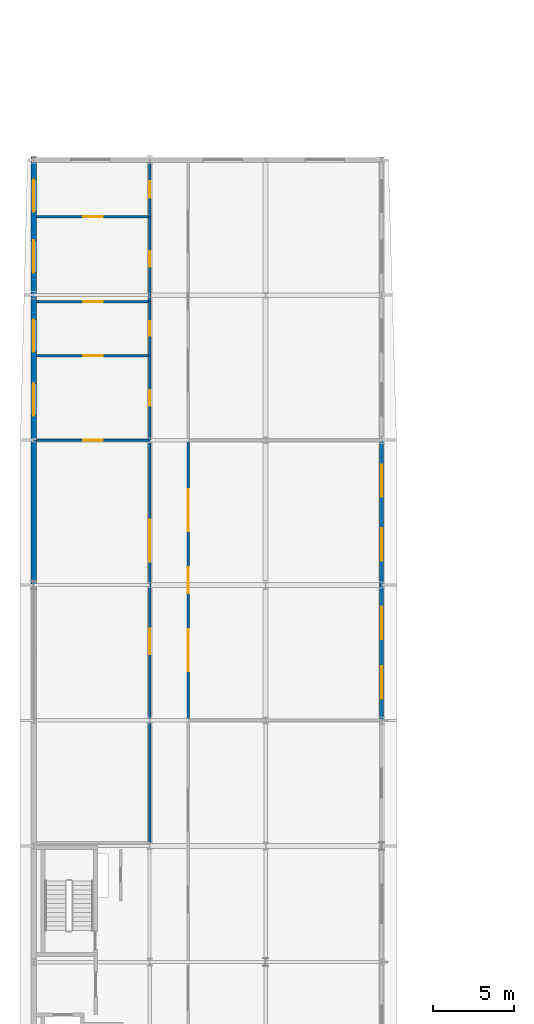
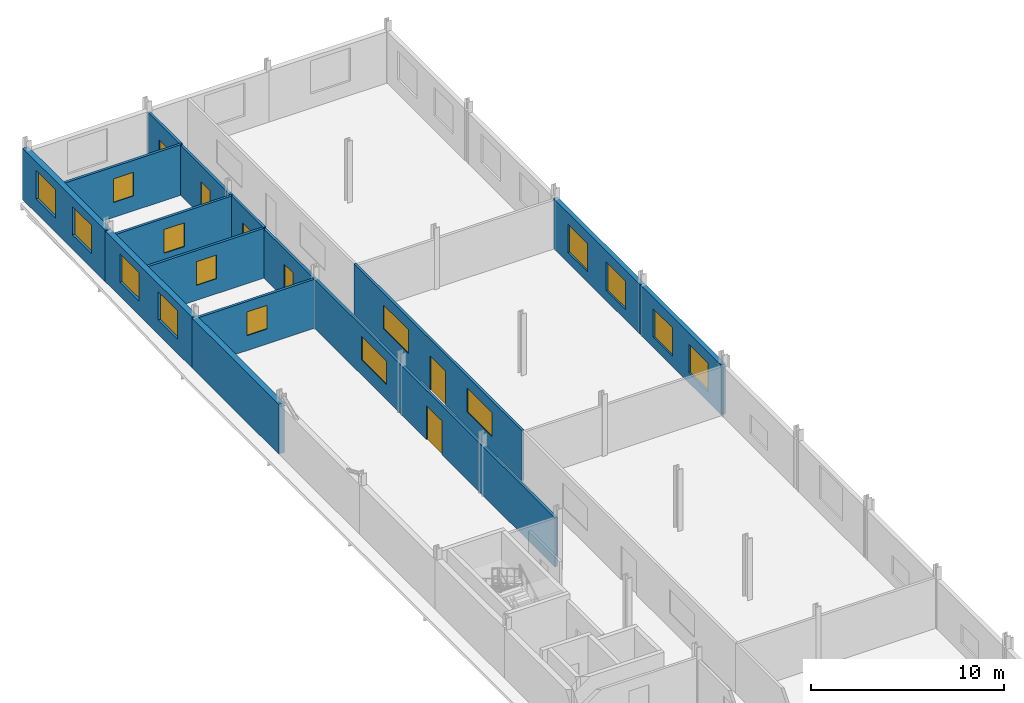
# One storey, part 42 of 49: 15 walls, 15 windows, 6 doors, 21 openings.
"""IFC4 building model written with IfcOpenShell, lengths in metres."""

from ifc_helpers import new_model, si_unit, direction, frame, frame_2d, origin, place, context, subcontext, project, spatial, rectangle, extrude, material, layer, layer_set, type_object, element, fill, save


model = new_model("IFC4")

# Units and contexts
model_context = context("Model", 3, precision=1e-05, world=origin(), true_north=direction((0.0, 1.0)))
body_context = subcontext(model_context, "Body", "Model", "MODEL_VIEW")
ifc_project = project(units=[si_unit("LENGTHUNIT", "METRE"), si_unit("AREAUNIT", "SQUARE_METRE"), si_unit("VOLUMEUNIT", "CUBIC_METRE"), si_unit("PLANEANGLEUNIT", "RADIAN"), si_unit("MASSUNIT", "GRAM", prefix="KILO")], contexts=[model_context])

# Site, building, storey
site_placement = place(None, origin())
site = spatial("IfcSite", under=ifc_project, at=site_placement, CompositionType="ELEMENT")
building_placement = place(site_placement, origin())
building = spatial("IfcBuilding", under=site, at=building_placement, Name="Vinh Khe Railworks Police Headquarters", CompositionType="ELEMENT")
storey_placement = place(building_placement, frame((0.0, 0.0, 17.10009765625)))
storey = spatial("IfcBuildingStorey", under=building, at=storey_placement, Name="L04", CompositionType="ELEMENT", Elevation=17.10009765625)

# Wall, openings, windows
ifc_material_1 = material(Name="Clay brickwork", Category="masonry")
ifc_layer_1 = layer(ifc_material_1, 0.260009765625)
ifc_layer_set_1 = layer_set([ifc_layer_1], Name="Clay brickwork")
wall_type_1 = type_object("IfcWallType", Name="EW-BRK-260", PredefinedType="SOLIDWALL", material=ifc_layer_set_1)
wall_1_placement = place(storey_placement, frame((22.199951171875, 96.0, 0.0), z_axis=(0.0, 0.0, 1.0), x_axis=(0.0, 1.0, 0.0)))
wall_1 = element("IfcWall", 1, at=wall_1_placement, inside=storey, type_object=wall_type_1, Name="Exterior Brick Wall EW-L04-V5E-13", PredefinedType="SOLIDWALL", context=body_context, shape_type="SweptSolid", body=[
    extrude(rectangle(XDim=8.39990234375, YDim=0.260009765625, at=frame_2d((4.199951171875, 0.0))), origin(), (0.0, 0.0, 1.0), 3.15478515625),
])
opening_1_placement = place(wall_1_placement, frame((1.35205078125, 0.0, 0.64990234375)))
opening_1 = element("IfcOpeningElement", 2, at=opening_1_placement, cuts=wall_1, Name="Opening WN-04", PredefinedType="OPENING", context=body_context, shape_type="SweptSolid", body=[
    extrude(rectangle(XDim=2.0, YDim=1.800048828125, at=frame_2d((1.0, 0.89990234375))), frame((0.0, 0.14501953125, 0.0), z_axis=(0.0, -1.0, 0.0), x_axis=(1.0, 0.0, 0.0)), (0.0, 0.0, 1.0), 0.289794921875),
])
opening_2_placement = place(wall_1_placement, frame((5.048095703125, 0.0, 0.64990234375)))
opening_2 = element("IfcOpeningElement", 3, at=opening_2_placement, cuts=wall_1, Name="Opening WN-04", PredefinedType="OPENING", context=body_context, shape_type="SweptSolid", body=[
    extrude(rectangle(XDim=2.0, YDim=1.800048828125, at=frame_2d((1.0, 0.89990234375))), frame((0.0, 0.14501953125, 0.0), z_axis=(0.0, -1.0, 0.0), x_axis=(1.0, 0.0, 0.0)), (0.0, 0.0, 1.0), 0.289794921875),
])
ifc_material_2 = material(Name="Double-glazed solar-control glass in dark steel frame", Category="steel")
window_type_1 = type_object("IfcWindowType", Name="WIN-WN-04", PartitioningType="DOUBLE_PANEL_VERTICAL", PredefinedType="WINDOW", material=ifc_material_2)
window_1_placement = place(opening_1_placement, origin())
window_1 = element("IfcWindow", 4, at=window_1_placement, inside=storey, type_object=window_type_1, Name="Casement Window WN-04", OverallHeight=1.800048828125, OverallWidth=2.0, PartitioningType="SINGLE_PANEL", PredefinedType="WINDOW", context=body_context, shape_type="SweptSolid", body=[
    extrude(rectangle(XDim=2.0, YDim=1.800048828125, at=frame_2d((1.0, 0.89990234375))), frame((0.0, 0.030029296875, 0.0), z_axis=(0.0, -1.0, 0.0), x_axis=(1.0, 0.0, 0.0)), (0.0, 0.0, 1.0), 0.06005859375),
])
fill(opening_1, window_1)
window_2_placement = place(opening_2_placement, origin())
window_2 = element("IfcWindow", 5, at=window_2_placement, inside=storey, type_object=window_type_1, Name="Casement Window WN-04", OverallHeight=1.800048828125, OverallWidth=2.0, PartitioningType="SINGLE_PANEL", PredefinedType="WINDOW", context=body_context, shape_type="SweptSolid", body=[
    extrude(rectangle(XDim=2.0, YDim=1.800048828125, at=frame_2d((1.0, 0.89990234375))), frame((0.0, 0.030029296875, 0.0), z_axis=(0.0, -1.0, 0.0), x_axis=(1.0, 0.0, 0.0)), (0.0, 0.0, 1.0), 0.06005859375),
])
fill(opening_2, window_2)

wall_2_placement = place(storey_placement, frame((22.199951171875, 104.39990234375, 0.0), z_axis=(0.0, 0.0, 1.0), x_axis=(0.0, 1.0, 0.0)))
wall_2 = element("IfcWall", 6, at=wall_2_placement, inside=storey, type_object=wall_type_1, Name="Exterior Brick Wall EW-L04-V5E-14", PredefinedType="SOLIDWALL", context=body_context, shape_type="SweptSolid", body=[
    extrude(rectangle(XDim=9.0, YDim=0.260009765625, at=frame_2d((4.5, 0.0))), origin(), (0.0, 0.0, 1.0), 3.15478515625),
])
opening_3_placement = place(wall_2_placement, frame((1.52001953125, 0.0, 0.64990234375)))
opening_3 = element("IfcOpeningElement", 7, at=opening_3_placement, cuts=wall_2, Name="Opening WN-04", PredefinedType="OPENING", context=body_context, shape_type="SweptSolid", body=[
    extrude(rectangle(XDim=2.0, YDim=1.800048828125, at=frame_2d((1.0, 0.89990234375))), frame((0.0, 0.14501953125, 0.0), z_axis=(0.0, -1.0, 0.0), x_axis=(1.0, 0.0, 0.0)), (0.0, 0.0, 1.0), 0.289794921875),
])
opening_4_placement = place(wall_2_placement, frame((5.47998046875, 0.0, 0.64990234375)))
opening_4 = element("IfcOpeningElement", 8, at=opening_4_placement, cuts=wall_2, Name="Opening WN-04", PredefinedType="OPENING", context=body_context, shape_type="SweptSolid", body=[
    extrude(rectangle(XDim=2.0, YDim=1.800048828125, at=frame_2d((1.0, 0.89990234375))), frame((0.0, 0.14501953125, 0.0), z_axis=(0.0, -1.0, 0.0), x_axis=(1.0, 0.0, 0.0)), (0.0, 0.0, 1.0), 0.289794921875),
])
window_3_placement = place(opening_3_placement, origin())
window_3 = element("IfcWindow", 9, at=window_3_placement, inside=storey, type_object=window_type_1, Name="Casement Window WN-04", OverallHeight=1.800048828125, OverallWidth=2.0, PartitioningType="SINGLE_PANEL", PredefinedType="WINDOW", context=body_context, shape_type="SweptSolid", body=[
    extrude(rectangle(XDim=2.0, YDim=1.800048828125, at=frame_2d((1.0, 0.89990234375))), frame((0.0, 0.030029296875, 0.0), z_axis=(0.0, -1.0, 0.0), x_axis=(1.0, 0.0, 0.0)), (0.0, 0.0, 1.0), 0.06005859375),
])
fill(opening_3, window_3)
window_4_placement = place(opening_4_placement, origin())
window_4 = element("IfcWindow", 10, at=window_4_placement, inside=storey, type_object=window_type_1, Name="Casement Window WN-04", OverallHeight=1.800048828125, OverallWidth=2.0, PartitioningType="SINGLE_PANEL", PredefinedType="WINDOW", context=body_context, shape_type="SweptSolid", body=[
    extrude(rectangle(XDim=2.0, YDim=1.800048828125, at=frame_2d((1.0, 0.89990234375))), frame((0.0, 0.030029296875, 0.0), z_axis=(0.0, -1.0, 0.0), x_axis=(1.0, 0.0, 0.0)), (0.0, 0.0, 1.0), 0.06005859375),
])
fill(opening_4, window_4)

# Wall
ifc_layer_2 = layer(ifc_material_1, 0.340087890625)
ifc_layer_set_2 = layer_set([ifc_layer_2], Name="Clay brickwork")
wall_type_2 = type_object("IfcWallType", Name="EW-BRK-340", PredefinedType="SOLIDWALL", material=ifc_layer_set_2)
wall_3_placement = place(storey_placement, frame((0.60009765625, 104.39990234375, 0.0), z_axis=(0.0, 0.0, 1.0), x_axis=(0.0, 1.0, 0.0)))
element("IfcWall", 11, at=wall_3_placement, inside=storey, type_object=wall_type_2, Name="Exterior Brick Wall EW-L04-V5W-14", PredefinedType="SOLIDWALL", context=body_context, shape_type="SweptSolid", body=[
    extrude(rectangle(XDim=9.0, YDim=0.340087890625, at=frame_2d((4.5, 0.0))), origin(), (0.0, 0.0, 1.0), 3.15478515625),
])

# Wall, openings, windows
wall_4_placement = place(storey_placement, frame((0.60009765625, 113.39990234375, 0.0), z_axis=(0.0, 0.0, 1.0), x_axis=(0.0, 1.0, 0.0)))
wall_4 = element("IfcWall", 12, at=wall_4_placement, inside=storey, type_object=wall_type_2, Name="Exterior Brick Wall EW-L04-V5W-15", PredefinedType="SOLIDWALL", context=body_context, shape_type="SweptSolid", body=[
    extrude(rectangle(XDim=9.0, YDim=0.340087890625, at=frame_2d((4.5, 0.0))), origin(), (0.0, 0.0, 1.0), 3.204833984375),
])
opening_5_placement = place(wall_4_placement, frame((1.52001953125, 0.0, 0.89990234375)))
opening_5 = element("IfcOpeningElement", 13, at=opening_5_placement, cuts=wall_4, Name="Opening WN-04", PredefinedType="OPENING", context=body_context, shape_type="SweptSolid", body=[
    extrude(rectangle(XDim=2.0, YDim=1.800048828125, at=frame_2d((1.0, 0.89990234375))), frame((0.0, 0.18505859375, 0.0), z_axis=(0.0, -1.0, 0.0), x_axis=(1.0, 0.0, 0.0)), (0.0, 0.0, 1.0), 0.369873046875),
])
opening_6_placement = place(wall_4_placement, frame((5.47998046875, 0.0, 0.89990234375)))
opening_6 = element("IfcOpeningElement", 14, at=opening_6_placement, cuts=wall_4, Name="Opening WN-04", PredefinedType="OPENING", context=body_context, shape_type="SweptSolid", body=[
    extrude(rectangle(XDim=2.0, YDim=1.800048828125, at=frame_2d((1.0, 0.89990234375))), frame((0.0, 0.18505859375, 0.0), z_axis=(0.0, -1.0, 0.0), x_axis=(1.0, 0.0, 0.0)), (0.0, 0.0, 1.0), 0.369873046875),
])
window_5_placement = place(opening_5_placement, origin())
window_5 = element("IfcWindow", 15, at=window_5_placement, inside=storey, type_object=window_type_1, Name="Casement Window WN-04", OverallHeight=1.800048828125, OverallWidth=2.0, PartitioningType="SINGLE_PANEL", PredefinedType="WINDOW", context=body_context, shape_type="SweptSolid", body=[
    extrude(rectangle(XDim=2.0, YDim=1.800048828125, at=frame_2d((1.0, 0.89990234375))), frame((0.0, 0.030029296875, 0.0), z_axis=(0.0, -1.0, 0.0), x_axis=(1.0, 0.0, 0.0)), (0.0, 0.0, 1.0), 0.06005859375),
])
fill(opening_5, window_5)
window_6_placement = place(opening_6_placement, origin())
window_6 = element("IfcWindow", 16, at=window_6_placement, inside=storey, type_object=window_type_1, Name="Casement Window WN-04", OverallHeight=1.800048828125, OverallWidth=2.0, PartitioningType="SINGLE_PANEL", PredefinedType="WINDOW", context=body_context, shape_type="SweptSolid", body=[
    extrude(rectangle(XDim=2.0, YDim=1.800048828125, at=frame_2d((1.0, 0.89990234375))), frame((0.0, 0.030029296875, 0.0), z_axis=(0.0, -1.0, 0.0), x_axis=(1.0, 0.0, 0.0)), (0.0, 0.0, 1.0), 0.06005859375),
])
fill(opening_6, window_6)

wall_5_placement = place(storey_placement, frame((0.60009765625, 122.39990234375, 0.0), z_axis=(0.0, 0.0, 1.0), x_axis=(0.0, 1.0, 0.0)))
wall_5 = element("IfcWall", 17, at=wall_5_placement, inside=storey, type_object=wall_type_2, Name="Exterior Brick Wall EW-L04-V5W-16", PredefinedType="SOLIDWALL", context=body_context, shape_type="SweptSolid", body=[
    extrude(rectangle(XDim=8.570068359375, YDim=0.340087890625, at=frame_2d((4.28515625, 0.0))), origin(), (0.0, 0.0, 1.0), 3.2548828125),
])
opening_7_placement = place(wall_5_placement, frame((1.399658203125, 0.0, 0.89990234375)))
opening_7 = element("IfcOpeningElement", 18, at=opening_7_placement, cuts=wall_5, Name="Opening WN-04", PredefinedType="OPENING", context=body_context, shape_type="SweptSolid", body=[
    extrude(rectangle(XDim=2.0, YDim=1.800048828125, at=frame_2d((1.0, 0.89990234375))), frame((0.0, 0.18505859375, 0.0), z_axis=(0.0, -1.0, 0.0), x_axis=(1.0, 0.0, 0.0)), (0.0, 0.0, 1.0), 0.369873046875),
])
opening_8_placement = place(wall_5_placement, frame((5.17041015625, 0.0, 0.89990234375)))
opening_8 = element("IfcOpeningElement", 19, at=opening_8_placement, cuts=wall_5, Name="Opening WN-04", PredefinedType="OPENING", context=body_context, shape_type="SweptSolid", body=[
    extrude(rectangle(XDim=2.0, YDim=1.800048828125, at=frame_2d((1.0, 0.89990234375))), frame((0.0, 0.18505859375, 0.0), z_axis=(0.0, -1.0, 0.0), x_axis=(1.0, 0.0, 0.0)), (0.0, 0.0, 1.0), 0.369873046875),
])
window_7_placement = place(opening_7_placement, origin())
window_7 = element("IfcWindow", 20, at=window_7_placement, inside=storey, type_object=window_type_1, Name="Casement Window WN-04", OverallHeight=1.800048828125, OverallWidth=2.0, PartitioningType="SINGLE_PANEL", PredefinedType="WINDOW", context=body_context, shape_type="SweptSolid", body=[
    extrude(rectangle(XDim=2.0, YDim=1.800048828125, at=frame_2d((1.0, 0.89990234375))), frame((0.0, 0.030029296875, 0.0), z_axis=(0.0, -1.0, 0.0), x_axis=(1.0, 0.0, 0.0)), (0.0, 0.0, 1.0), 0.06005859375),
])
fill(opening_7, window_7)
window_8_placement = place(opening_8_placement, origin())
window_8 = element("IfcWindow", 21, at=window_8_placement, inside=storey, type_object=window_type_1, Name="Casement Window WN-04", OverallHeight=1.800048828125, OverallWidth=2.0, PartitioningType="SINGLE_PANEL", PredefinedType="WINDOW", context=body_context, shape_type="SweptSolid", body=[
    extrude(rectangle(XDim=2.0, YDim=1.800048828125, at=frame_2d((1.0, 0.89990234375))), frame((0.0, 0.030029296875, 0.0), z_axis=(0.0, -1.0, 0.0), x_axis=(1.0, 0.0, 0.0)), (0.0, 0.0, 1.0), 0.06005859375),
])
fill(opening_8, window_8)

# Wall, opening, window
ifc_material_3 = material(Name="Gypsum plasterboard on steel stud", Category="steel")
ifc_layer_3 = layer(ifc_material_3, 0.1201171875)
ifc_layer_set_3 = layer_set([ifc_layer_3], Name="Gypsum plasterboard on steel stud")
wall_type_3 = type_object("IfcWallType", Name="IW-PART-120", PredefinedType="PARTITIONING", material=ifc_layer_set_3)
wall_6_placement = place(storey_placement, frame((0.780029296875, 118.64208984375, 0.0), z_axis=(0.0, 0.0, 1.0), x_axis=(1.0, 0.0, 0.0)))
wall_6 = element("IfcWall", 22, at=wall_6_placement, inside=storey, type_object=wall_type_3, Name="Interior Partition W-L04-V5-WCL4S-DIV", PredefinedType="PARTITIONING", context=body_context, shape_type="SweptSolid", body=[
    extrude(rectangle(XDim=7.02001953125, YDim=0.14990234375, at=frame_2d((3.510009765625, 0.0))), origin(), (0.0, 0.0, 1.0), 3.15478515625),
])
opening_9_placement = place(wall_6_placement, frame((2.909912109375, 0.0, 0.949951171875)))
opening_9 = element("IfcOpeningElement", 23, at=opening_9_placement, cuts=wall_6, Name="Opening WN-10", PredefinedType="OPENING", context=body_context, shape_type="SweptSolid", body=[
    extrude(rectangle(XDim=1.199951171875, YDim=1.5, at=frame_2d((0.60009765625, 0.75))), frame((0.0, 0.08984375, 0.0), z_axis=(0.0, -1.0, 0.0), x_axis=(1.0, 0.0, 0.0)), (0.0, 0.0, 1.0), 0.1796875),
])
window_type_2 = type_object("IfcWindowType", Name="WIN-WN-10", PartitioningType="SINGLE_PANEL", PredefinedType="WINDOW", material=ifc_material_2)
window_9_placement = place(opening_9_placement, origin())
window_9 = element("IfcWindow", 24, at=window_9_placement, inside=storey, type_object=window_type_2, Name="Interior Acoustic Vision Window WN-10", OverallHeight=1.5, OverallWidth=1.199951171875, PartitioningType="SINGLE_PANEL", PredefinedType="WINDOW", context=body_context, shape_type="SweptSolid", body=[
    extrude(rectangle(XDim=1.199951171875, YDim=1.5, at=frame_2d((0.60009765625, 0.75))), frame((0.0, 0.030029296875, 0.0), z_axis=(0.0, -1.0, 0.0), x_axis=(1.0, 0.0, 0.0)), (0.0, 0.0, 1.0), 0.06005859375),
])
fill(opening_9, window_9)

wall_7_placement = place(storey_placement, frame((0.780029296875, 113.39990234375, 0.0), z_axis=(0.0, 0.0, 1.0), x_axis=(1.0, 0.0, 0.0)))
wall_7 = element("IfcWall", 25, at=wall_7_placement, inside=storey, type_object=wall_type_3, Name="Interior Partition W-L04-V5-WCL4-DIV", PredefinedType="PARTITIONING", context=body_context, shape_type="SweptSolid", body=[
    extrude(rectangle(XDim=7.02001953125, YDim=0.14990234375, at=frame_2d((3.510009765625, 0.0))), origin(), (0.0, 0.0, 1.0), 3.10498046875),
])
opening_10_placement = place(wall_7_placement, frame((2.909912109375, 0.0, 0.949951171875)))
opening_10 = element("IfcOpeningElement", 26, at=opening_10_placement, cuts=wall_7, Name="Opening WN-10", PredefinedType="OPENING", context=body_context, shape_type="SweptSolid", body=[
    extrude(rectangle(XDim=1.199951171875, YDim=1.5, at=frame_2d((0.60009765625, 0.75))), frame((0.0, 0.08984375, 0.0), z_axis=(0.0, -1.0, 0.0), x_axis=(1.0, 0.0, 0.0)), (0.0, 0.0, 1.0), 0.1796875),
])
window_10_placement = place(opening_10_placement, origin())
window_10 = element("IfcWindow", 27, at=window_10_placement, inside=storey, type_object=window_type_2, Name="Interior Acoustic Vision Window WN-10", OverallHeight=1.5, OverallWidth=1.199951171875, PartitioningType="SINGLE_PANEL", PredefinedType="WINDOW", context=body_context, shape_type="SweptSolid", body=[
    extrude(rectangle(XDim=1.199951171875, YDim=1.5, at=frame_2d((0.60009765625, 0.75))), frame((0.0, 0.030029296875, 0.0), z_axis=(0.0, -1.0, 0.0), x_axis=(1.0, 0.0, 0.0)), (0.0, 0.0, 1.0), 0.06005859375),
])
fill(opening_10, window_10)

wall_8_placement = place(storey_placement, frame((0.780029296875, 127.281982421875, 0.0), z_axis=(0.0, 0.0, 1.0), x_axis=(1.0, 0.0, 0.0)))
wall_8 = element("IfcWall", 28, at=wall_8_placement, inside=storey, type_object=wall_type_3, Name="Interior Partition W-L04-V5-AWCL4S-DIV", PredefinedType="PARTITIONING", context=body_context, shape_type="SweptSolid", body=[
    extrude(rectangle(XDim=7.02001953125, YDim=0.14990234375, at=frame_2d((3.510009765625, 0.0))), origin(), (0.0, 0.0, 1.0), 3.204833984375),
])
opening_11_placement = place(wall_8_placement, frame((2.909912109375, 0.0, 0.949951171875)))
opening_11 = element("IfcOpeningElement", 29, at=opening_11_placement, cuts=wall_8, Name="Opening WN-10", PredefinedType="OPENING", context=body_context, shape_type="SweptSolid", body=[
    extrude(rectangle(XDim=1.199951171875, YDim=1.5, at=frame_2d((0.60009765625, 0.75))), frame((0.0, 0.08984375, 0.0), z_axis=(0.0, -1.0, 0.0), x_axis=(1.0, 0.0, 0.0)), (0.0, 0.0, 1.0), 0.1796875),
])
window_11_placement = place(opening_11_placement, origin())
window_11 = element("IfcWindow", 30, at=window_11_placement, inside=storey, type_object=window_type_2, Name="Interior Acoustic Vision Window WN-10", OverallHeight=1.5, OverallWidth=1.199951171875, PartitioningType="SINGLE_PANEL", PredefinedType="WINDOW", context=body_context, shape_type="SweptSolid", body=[
    extrude(rectangle(XDim=1.199951171875, YDim=1.5, at=frame_2d((0.60009765625, 0.75))), frame((0.0, 0.030029296875, 0.0), z_axis=(0.0, -1.0, 0.0), x_axis=(1.0, 0.0, 0.0)), (0.0, 0.0, 1.0), 0.06005859375),
])
fill(opening_11, window_11)

wall_9_placement = place(storey_placement, frame((0.780029296875, 122.0, 0.0), z_axis=(0.0, 0.0, 1.0), x_axis=(1.0, 0.0, 0.0)))
wall_9 = element("IfcWall", 31, at=wall_9_placement, inside=storey, type_object=wall_type_3, Name="Interior Partition W-L04-V5-AWCL4-DIV", PredefinedType="PARTITIONING", context=body_context, shape_type="SweptSolid", body=[
    extrude(rectangle(XDim=7.02001953125, YDim=0.14990234375, at=frame_2d((3.510009765625, 0.0))), origin(), (0.0, 0.0, 1.0), 3.15478515625),
])
opening_12_placement = place(wall_9_placement, frame((2.909912109375, 0.0, 0.949951171875)))
opening_12 = element("IfcOpeningElement", 32, at=opening_12_placement, cuts=wall_9, Name="Opening WN-10", PredefinedType="OPENING", context=body_context, shape_type="SweptSolid", body=[
    extrude(rectangle(XDim=1.199951171875, YDim=1.5, at=frame_2d((0.60009765625, 0.75))), frame((0.0, 0.08984375, 0.0), z_axis=(0.0, -1.0, 0.0), x_axis=(1.0, 0.0, 0.0)), (0.0, 0.0, 1.0), 0.1796875),
])
window_12_placement = place(opening_12_placement, origin())
window_12 = element("IfcWindow", 33, at=window_12_placement, inside=storey, type_object=window_type_2, Name="Interior Acoustic Vision Window WN-10", OverallHeight=1.5, OverallWidth=1.199951171875, PartitioningType="SINGLE_PANEL", PredefinedType="WINDOW", context=body_context, shape_type="SweptSolid", body=[
    extrude(rectangle(XDim=1.199951171875, YDim=1.5, at=frame_2d((0.60009765625, 0.75))), frame((0.0, 0.030029296875, 0.0), z_axis=(0.0, -1.0, 0.0), x_axis=(1.0, 0.0, 0.0)), (0.0, 0.0, 1.0), 0.06005859375),
])
fill(opening_12, window_12)

# Wall, openings, door, window
ifc_material_4 = material(Name="Gypsum plasterboard on acoustic steel stud", Category="steel")
ifc_layer_4 = layer(ifc_material_4, 0.14990234375)
ifc_layer_set_4 = layer_set([ifc_layer_4], Name="Gypsum plasterboard on acoustic steel stud")
wall_type_4 = type_object("IfcWallType", Name="IW-PART-150", PredefinedType="PARTITIONING", material=ifc_layer_set_4)
wall_10_placement = place(storey_placement, frame((7.800048828125, 88.39990234375, 0.0), z_axis=(0.0, 0.0, 1.0), x_axis=(0.0, 1.0, 0.0)))
wall_10 = element("IfcWall", 34, at=wall_10_placement, inside=storey, type_object=wall_type_4, Name="Interior Partition W-L04-V5-ECON2-CW", PredefinedType="PARTITIONING", context=body_context, shape_type="SweptSolid", body=[
    extrude(rectangle(XDim=25.0, YDim=0.14990234375, at=frame_2d((12.5, 0.0))), origin(), (0.0, 0.0, 1.0), 3.10498046875),
])
opening_13_placement = place(wall_10_placement, frame((11.699951171875, 0.0, 0.0)))
opening_13 = element("IfcOpeningElement", 35, at=opening_13_placement, cuts=wall_10, Name="Opening D-03", PredefinedType="OPENING", context=body_context, shape_type="SweptSolid", body=[
    extrude(rectangle(XDim=1.60009765625, YDim=2.14990234375, at=frame_2d((0.800048828125, 1.074951171875))), frame((0.0, 0.08984375, 0.0), z_axis=(0.0, -1.0, 0.0), x_axis=(1.0, 0.0, 0.0)), (0.0, 0.0, 1.0), 0.1796875),
])
opening_14_placement = place(wall_10_placement, frame((17.449951171875, 0.0, 0.949951171875)))
opening_14 = element("IfcOpeningElement", 36, at=opening_14_placement, cuts=wall_10, Name="Opening WN-07", PredefinedType="OPENING", context=body_context, shape_type="SweptSolid", body=[
    extrude(rectangle(XDim=2.60009765625, YDim=1.5, at=frame_2d((1.300048828125, 0.75))), frame((0.0, 0.08984375, 0.0), z_axis=(0.0, -1.0, 0.0), x_axis=(1.0, 0.0, 0.0)), (0.0, 0.0, 1.0), 0.1796875),
])
ifc_material_5 = material(Name="Painted galvanised steel", Category="steel")
door_type_1 = type_object("IfcDoorType", Name="ID-1600x2150", OperationType="DOUBLE_DOOR_SINGLE_SWING", PredefinedType="DOOR", material=ifc_material_5)
door_1_placement = place(opening_13_placement, origin())
door_1 = element("IfcDoor", 37, at=door_1_placement, inside=storey, type_object=door_type_1, Name="Financial Fraud Analysis Bureau Door", OperationType="DOUBLE_DOOR_SINGLE_SWING", OverallHeight=2.14990234375, OverallWidth=1.60009765625, PredefinedType="DOOR", context=body_context, shape_type="SweptSolid", body=[
    extrude(rectangle(XDim=1.60009765625, YDim=2.14990234375, at=frame_2d((0.800048828125, 1.074951171875))), frame((0.0, 0.02490234375, 0.0), z_axis=(0.0, -1.0, 0.0), x_axis=(1.0, 0.0, 0.0)), (0.0, 0.0, 1.0), 0.050048828125),
])
fill(opening_13, door_1)
window_type_3 = type_object("IfcWindowType", Name="WIN-WN-07", PartitioningType="DOUBLE_PANEL_HORIZONTAL", PredefinedType="WINDOW", material=ifc_material_2)
window_13_placement = place(opening_14_placement, origin())
window_13 = element("IfcWindow", 38, at=window_13_placement, inside=storey, type_object=window_type_3, Name="Interior Acoustic Vision Window WN-07", OverallHeight=1.5, OverallWidth=2.60009765625, PartitioningType="SINGLE_PANEL", PredefinedType="WINDOW", context=body_context, shape_type="SweptSolid", body=[
    extrude(rectangle(XDim=2.60009765625, YDim=1.5, at=frame_2d((1.300048828125, 0.75))), frame((0.0, 0.030029296875, 0.0), z_axis=(0.0, -1.0, 0.0), x_axis=(1.0, 0.0, 0.0)), (0.0, 0.0, 1.0), 0.06005859375),
])
fill(opening_14, window_13)

# Wall, opening, door
wall_11_placement = place(storey_placement, frame((7.800048828125, 113.39990234375, 0.0), z_axis=(0.0, 0.0, 1.0), x_axis=(0.0, 1.0, 0.0)))
wall_11 = element("IfcWall", 39, at=wall_11_placement, inside=storey, type_object=wall_type_4, Name="Interior Partition W-L04-V5-WCL4S-CW", PredefinedType="PARTITIONING", context=body_context, shape_type="SweptSolid", body=[
    extrude(rectangle(XDim=5.2421875, YDim=0.14990234375, at=frame_2d((2.62109375, 0.0))), origin(), (0.0, 0.0, 1.0), 3.10498046875),
])
opening_15_placement = place(wall_11_placement, frame((2.14599609375, 0.0, 0.0)))
opening_15 = element("IfcOpeningElement", 40, at=opening_15_placement, cuts=wall_11, Name="Opening D-01", PredefinedType="OPENING", context=body_context, shape_type="SweptSolid", body=[
    extrude(rectangle(XDim=0.949951171875, YDim=2.14990234375, at=frame_2d((0.47509765625, 1.074951171875))), frame((0.0, 0.08984375, 0.0), z_axis=(0.0, -1.0, 0.0), x_axis=(1.0, 0.0, 0.0)), (0.0, 0.0, 1.0), 0.1796875),
])
ifc_material_6 = material(Name="Seasoned hardwood timber", Category="wood")
door_type_2 = type_object("IfcDoorType", Name="ID-950x2150", OperationType="NOTDEFINED", PredefinedType="DOOR", material=ifc_material_6)
door_2_placement = place(opening_15_placement, origin())
door_2 = element("IfcDoor", 41, at=door_2_placement, inside=storey, type_object=door_type_2, Name="Floor Supplies Store Door", OperationType="SINGLE_SWING_RIGHT", OverallHeight=2.14990234375, OverallWidth=0.949951171875, PredefinedType="DOOR", context=body_context, shape_type="SweptSolid", body=[
    extrude(rectangle(XDim=0.949951171875, YDim=2.14990234375, at=frame_2d((0.47509765625, 1.074951171875))), frame((0.0, 0.02490234375, 0.0), z_axis=(0.0, -1.0, 0.0), x_axis=(1.0, 0.0, 0.0)), (0.0, 0.0, 1.0), 0.050048828125),
])
fill(opening_15, door_2)

wall_12_placement = place(storey_placement, frame((7.800048828125, 118.64208984375, 0.0), z_axis=(0.0, 0.0, 1.0), x_axis=(0.0, 1.0, 0.0)))
wall_12 = element("IfcWall", 42, at=wall_12_placement, inside=storey, type_object=wall_type_4, Name="Interior Partition W-L04-V5-WCL4-CW", PredefinedType="PARTITIONING", context=body_context, shape_type="SweptSolid", body=[
    extrude(rectangle(XDim=3.35791015625, YDim=0.14990234375, at=frame_2d((1.678955078125, 0.0))), origin(), (0.0, 0.0, 1.0), 3.15478515625),
])
opening_16_placement = place(wall_12_placement, frame((1.22900390625, 0.0, 0.0)))
opening_16 = element("IfcOpeningElement", 43, at=opening_16_placement, cuts=wall_12, Name="Opening D-04", PredefinedType="OPENING", context=body_context, shape_type="SweptSolid", body=[
    extrude(rectangle(XDim=0.89990234375, YDim=2.14990234375, at=frame_2d((0.449951171875, 1.074951171875))), frame((0.0, 0.08984375, 0.0), z_axis=(0.0, -1.0, 0.0), x_axis=(1.0, 0.0, 0.0)), (0.0, 0.0, 1.0), 0.1796875),
])
door_type_3 = type_object("IfcDoorType", Name="ID-900x2150", OperationType="NOTDEFINED", PredefinedType="DOOR", material=ifc_material_6)
door_3_placement = place(opening_16_placement, origin())
door_3 = element("IfcDoor", 44, at=door_3_placement, inside=storey, type_object=door_type_3, Name="Staff WC L04 Door", OperationType="SINGLE_SWING_LEFT", OverallHeight=2.14990234375, OverallWidth=0.89990234375, PredefinedType="DOOR", context=body_context, shape_type="SweptSolid", body=[
    extrude(rectangle(XDim=0.89990234375, YDim=2.14990234375, at=frame_2d((0.449951171875, 1.074951171875))), frame((0.0, 0.02490234375, 0.0), z_axis=(0.0, -1.0, 0.0), x_axis=(1.0, 0.0, 0.0)), (0.0, 0.0, 1.0), 0.050048828125),
])
fill(opening_16, door_3)

wall_13_placement = place(storey_placement, frame((7.800048828125, 122.0, 0.0), z_axis=(0.0, 0.0, 1.0), x_axis=(0.0, 1.0, 0.0)))
wall_13 = element("IfcWall", 45, at=wall_13_placement, inside=storey, type_object=wall_type_4, Name="Interior Partition W-L04-V5-AWCL4S-CW", PredefinedType="PARTITIONING", context=body_context, shape_type="SweptSolid", body=[
    extrude(rectangle(XDim=5.281982421875, YDim=0.14990234375, at=frame_2d((2.64111328125, 0.0))), origin(), (0.0, 0.0, 1.0), 3.14501953125),
])
opening_17_placement = place(wall_13_placement, frame((2.166015625, 0.0, 0.0)))
opening_17 = element("IfcOpeningElement", 46, at=opening_17_placement, cuts=wall_13, Name="Opening D-01", PredefinedType="OPENING", context=body_context, shape_type="SweptSolid", body=[
    extrude(rectangle(XDim=0.949951171875, YDim=2.14990234375, at=frame_2d((0.47509765625, 1.074951171875))), frame((0.0, 0.08984375, 0.0), z_axis=(0.0, -1.0, 0.0), x_axis=(1.0, 0.0, 0.0)), (0.0, 0.0, 1.0), 0.1796875),
])
door_4_placement = place(opening_17_placement, origin())
door_4 = element("IfcDoor", 47, at=door_4_placement, inside=storey, type_object=door_type_2, Name="Floor Supplies Store Door", OperationType="SINGLE_SWING_RIGHT", OverallHeight=2.14990234375, OverallWidth=0.949951171875, PredefinedType="DOOR", context=body_context, shape_type="SweptSolid", body=[
    extrude(rectangle(XDim=0.949951171875, YDim=2.14990234375, at=frame_2d((0.47509765625, 1.074951171875))), frame((0.0, 0.02490234375, 0.0), z_axis=(0.0, -1.0, 0.0), x_axis=(1.0, 0.0, 0.0)), (0.0, 0.0, 1.0), 0.050048828125),
])
fill(opening_17, door_4)

wall_14_placement = place(storey_placement, frame((7.800048828125, 127.281982421875, 0.0), z_axis=(0.0, 0.0, 1.0), x_axis=(0.0, 1.0, 0.0)))
wall_14 = element("IfcWall", 48, at=wall_14_placement, inside=storey, type_object=wall_type_4, Name="Interior Partition W-L04-V5-AWCL4-CW", PredefinedType="PARTITIONING", context=body_context, shape_type="SweptSolid", body=[
    extrude(rectangle(XDim=3.35791015625, YDim=0.14990234375, at=frame_2d((1.678955078125, 0.0))), origin(), (0.0, 0.0, 1.0), 3.19482421875),
])
opening_18_placement = place(wall_14_placement, frame((1.178955078125, 0.0, 0.0)))
opening_18 = element("IfcOpeningElement", 49, at=opening_18_placement, cuts=wall_14, Name="Opening D-05", PredefinedType="OPENING", context=body_context, shape_type="SweptSolid", body=[
    extrude(rectangle(XDim=1.0, YDim=2.14990234375, at=frame_2d((0.5, 1.074951171875))), frame((0.0, 0.08984375, 0.0), z_axis=(0.0, -1.0, 0.0), x_axis=(1.0, 0.0, 0.0)), (0.0, 0.0, 1.0), 0.1796875),
])
door_type_4 = type_object("IfcDoorType", Name="ID-1000x2150", OperationType="NOTDEFINED", PredefinedType="DOOR", material=ifc_material_6)
door_5_placement = place(opening_18_placement, origin())
door_5 = element("IfcDoor", 50, at=door_5_placement, inside=storey, type_object=door_type_4, Name="Accessible WC L04 Door", OperationType="SINGLE_SWING_LEFT", OverallHeight=2.14990234375, OverallWidth=1.0, PredefinedType="DOOR", context=body_context, shape_type="SweptSolid", body=[
    extrude(rectangle(XDim=1.0, YDim=2.14990234375, at=frame_2d((0.5, 1.074951171875))), frame((0.0, 0.02490234375, 0.0), z_axis=(0.0, -1.0, 0.0), x_axis=(1.0, 0.0, 0.0)), (0.0, 0.0, 1.0), 0.050048828125),
])
fill(opening_18, door_5)

# Wall, openings, door, windows
wall_15_placement = place(storey_placement, frame((10.199951171875, 96.0, 0.0), z_axis=(0.0, 0.0, 1.0), x_axis=(0.0, 1.0, 0.0)))
wall_15 = element("IfcWall", 51, at=wall_15_placement, inside=storey, type_object=wall_type_4, Name="Interior Partition W-L04-V5-SEM4-CE", PredefinedType="PARTITIONING", context=body_context, shape_type="SweptSolid", body=[
    extrude(rectangle(XDim=17.39990234375, YDim=0.14990234375, at=frame_2d((8.699951171875, 0.0))), origin(), (0.0, 0.0, 1.0), 3.19482421875),
])
opening_19_placement = place(wall_15_placement, frame((7.89990234375, 0.0, 0.0)))
opening_19 = element("IfcOpeningElement", 52, at=opening_19_placement, cuts=wall_15, Name="Opening D-03", PredefinedType="OPENING", context=body_context, shape_type="SweptSolid", body=[
    extrude(rectangle(XDim=1.60009765625, YDim=2.14990234375, at=frame_2d((0.800048828125, 1.074951171875))), frame((0.0, 0.08984375, 0.0), z_axis=(0.0, -1.0, 0.0), x_axis=(1.0, 0.0, 0.0)), (0.0, 0.0, 1.0), 0.1796875),
])
opening_20_placement = place(wall_15_placement, frame((3.050048828125, 0.0, 0.949951171875)))
opening_20 = element("IfcOpeningElement", 53, at=opening_20_placement, cuts=wall_15, Name="Opening WN-07", PredefinedType="OPENING", context=body_context, shape_type="SweptSolid", body=[
    extrude(rectangle(XDim=2.60009765625, YDim=1.5, at=frame_2d((1.300048828125, 0.75))), frame((0.0, 0.08984375, 0.0), z_axis=(0.0, -1.0, 0.0), x_axis=(1.0, 0.0, 0.0)), (0.0, 0.0, 1.0), 0.1796875),
])
opening_21_placement = place(wall_15_placement, frame((11.75, 0.0, 0.949951171875)))
opening_21 = element("IfcOpeningElement", 54, at=opening_21_placement, cuts=wall_15, Name="Opening WN-07", PredefinedType="OPENING", context=body_context, shape_type="SweptSolid", body=[
    extrude(rectangle(XDim=2.60009765625, YDim=1.5, at=frame_2d((1.300048828125, 0.75))), frame((0.0, 0.08984375, 0.0), z_axis=(0.0, -1.0, 0.0), x_axis=(1.0, 0.0, 0.0)), (0.0, 0.0, 1.0), 0.1796875),
])
door_6_placement = place(opening_19_placement, origin())
door_6 = element("IfcDoor", 55, at=door_6_placement, inside=storey, type_object=door_type_1, Name="Forensic Accounting Investigation Bureau Door", OperationType="DOUBLE_DOOR_SINGLE_SWING", OverallHeight=2.14990234375, OverallWidth=1.60009765625, PredefinedType="DOOR", context=body_context, shape_type="SweptSolid", body=[
    extrude(rectangle(XDim=1.60009765625, YDim=2.14990234375, at=frame_2d((0.800048828125, 1.074951171875))), frame((0.0, 0.02490234375, 0.0), z_axis=(0.0, -1.0, 0.0), x_axis=(1.0, 0.0, 0.0)), (0.0, 0.0, 1.0), 0.050048828125),
])
fill(opening_19, door_6)
window_14_placement = place(opening_20_placement, origin())
window_14 = element("IfcWindow", 56, at=window_14_placement, inside=storey, type_object=window_type_3, Name="Interior Acoustic Vision Window WN-07", OverallHeight=1.5, OverallWidth=2.60009765625, PartitioningType="SINGLE_PANEL", PredefinedType="WINDOW", context=body_context, shape_type="SweptSolid", body=[
    extrude(rectangle(XDim=2.60009765625, YDim=1.5, at=frame_2d((1.300048828125, 0.75))), frame((0.0, 0.030029296875, 0.0), z_axis=(0.0, -1.0, 0.0), x_axis=(1.0, 0.0, 0.0)), (0.0, 0.0, 1.0), 0.06005859375),
])
fill(opening_20, window_14)
window_15_placement = place(opening_21_placement, origin())
window_15 = element("IfcWindow", 57, at=window_15_placement, inside=storey, type_object=window_type_3, Name="Interior Acoustic Vision Window WN-07", OverallHeight=1.5, OverallWidth=2.60009765625, PartitioningType="SINGLE_PANEL", PredefinedType="WINDOW", context=body_context, shape_type="SweptSolid", body=[
    extrude(rectangle(XDim=2.60009765625, YDim=1.5, at=frame_2d((1.300048828125, 0.75))), frame((0.0, 0.030029296875, 0.0), z_axis=(0.0, -1.0, 0.0), x_axis=(1.0, 0.0, 0.0)), (0.0, 0.0, 1.0), 0.06005859375),
])
fill(opening_21, window_15)

save(model, "model.ifc")
